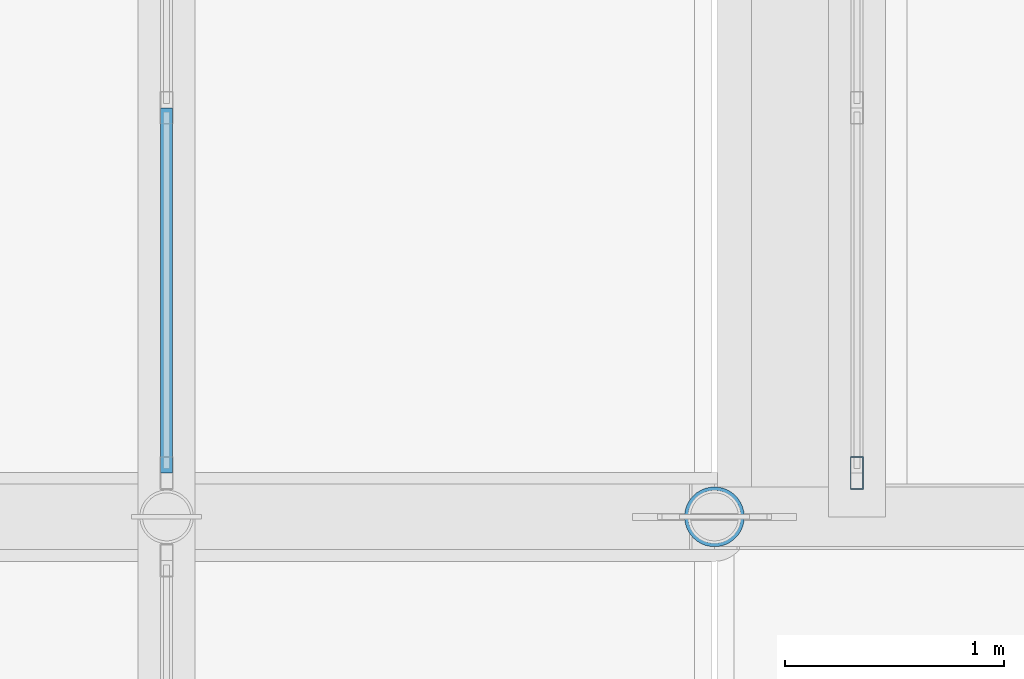
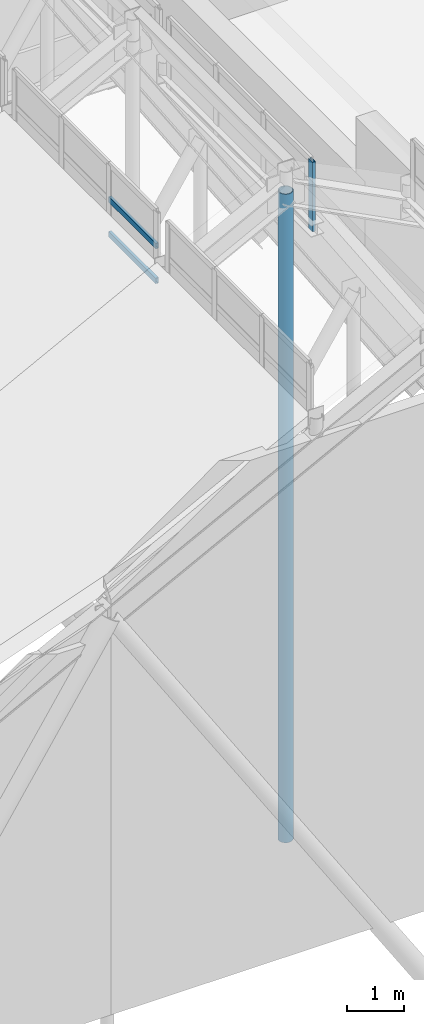
# One storey, part 10 of 84: 4 members, 2 elements without a shape of their own.
"""IFC4 building model written with IfcOpenShell, lengths in metres."""

from ifc_helpers import new_model, si_unit, direction, frame, origin, origin_2d, place, context, subcontext, project, spatial, hollow_rectangle, hollow_circle, extrude, material, layer, layer_set, material_profile, profile_set, type_object, element, aggregate, save


model = new_model("IFC4")

# Units and contexts
model_context = context("Model", 3, precision=1e-05, world=origin(), true_north=direction((0.0, 1.0)))
body_context = subcontext(model_context, "Body", "Model", "MODEL_VIEW")
ifc_project = project(units=[si_unit("LENGTHUNIT", "METRE"), si_unit("AREAUNIT", "SQUARE_METRE"), si_unit("VOLUMEUNIT", "CUBIC_METRE"), si_unit("PLANEANGLEUNIT", "RADIAN"), si_unit("MASSUNIT", "GRAM", prefix="KILO")], contexts=[model_context])

# Site, building, storey
site_placement = place(None, origin())
site = spatial("IfcSite", under=ifc_project, at=site_placement, CompositionType="ELEMENT")
building_placement = place(site_placement, origin())
building = spatial("IfcBuilding", under=site, at=building_placement, Name="Sundgate Opera House", CompositionType="ELEMENT")
storey_placement = place(building_placement, frame((0.0, 0.0, 30.60009765625)))
storey = spatial("IfcBuildingStorey", under=building, at=storey_placement, Name="L06", CompositionType="ELEMENT", Elevation=30.60009765625)

# Curtain wall, member
ifc_material_1 = material(Name="Anodized aluminium and low-iron glass", Category="aluminium")
ifc_layer = layer(ifc_material_1, 0.169921875)
ifc_layer_set = layer_set([ifc_layer], Name="Anodized aluminium and low-iron glass")
curtain_wall_type = type_object("IfcCurtainWallType", Name="CW-LANTERN-POLY", PredefinedType="NOTDEFINED", material=ifc_layer_set)
curtain_wall_1_placement = place(storey_placement, origin())
curtain_wall_1 = element("IfcCurtainWall", 1, at=curtain_wall_1_placement, inside=storey, type_object=curtain_wall_type, Name="L06 Curtain Wall CW172", PredefinedType="NOTDEFINED")
ifc_material_2 = material(Name="Anodized aluminium EN AW-6063", Category="aluminium")
ifc_material_profile_1 = material_profile(ifc_material_2, hollow_rectangle(XDim=0.06005859375, YDim=0.14990234375, WallThickness=0.00390625, at=origin_2d()), Name="CWM 150x60x4")
ifc_profile_set_1 = profile_set([ifc_material_profile_1], Name="Anodized aluminium EN AW-6063")
member_type_1 = type_object("IfcMemberType", Name="CWM-ALU-150x60", PredefinedType="MULLION", material=ifc_profile_set_1)
member_1_placement = place(storey_placement, frame((54.64990234375, 38.60009765625, 12.0), z_axis=(0.0, 0.0, 1.0), x_axis=(1.0, 0.0, 0.0)))
member_1 = element("IfcMember", 2, at=member_1_placement, type_object=member_type_1, Name="CW172 Mullion 1", PredefinedType="MULLION", context=body_context, shape_type="SweptSolid", body=[
    extrude(hollow_rectangle(XDim=0.06005859375, YDim=0.14990234375, WallThickness=0.00390625, at=origin_2d()), origin(), (0.0, 0.0, 1.0), 1.5),
])
aggregate(curtain_wall_1, [member_1])

# Curtain wall, members
curtain_wall_2_placement = place(storey_placement, origin())
curtain_wall_2 = element("IfcCurtainWall", 3, at=curtain_wall_2_placement, inside=storey, type_object=curtain_wall_type, Name="L06 Curtain Wall CW171", PredefinedType="NOTDEFINED")
ifc_material_3 = material(Name="Anodized aluminium EN AW-6063", Category="aluminium")
ifc_material_profile_2 = material_profile(ifc_material_3, hollow_rectangle(XDim=0.054931640625, YDim=0.1201171875, WallThickness=0.00390625, at=origin_2d()), Name="CWT 120x55x4")
ifc_profile_set_2 = profile_set([ifc_material_profile_2], Name="Anodized aluminium EN AW-6063")
member_type_2 = type_object("IfcMemberType", Name="CWT-ALU-120x55", PredefinedType="USERDEFINED", material=ifc_profile_set_2)
member_2_placement = place(storey_placement, frame((51.5, 40.2666015625, 12.0), z_axis=(0.0, -1.0, 0.0), x_axis=(1.0, 0.0, 0.0)))
member_2 = element("IfcMember", 4, at=member_2_placement, type_object=member_type_2, Name="CW171 Transom 7", ObjectType="TRANSOM", PredefinedType="USERDEFINED", context=body_context, shape_type="SweptSolid", body=[
    extrude(hollow_rectangle(XDim=0.054931640625, YDim=0.1201171875, WallThickness=0.00390625, at=origin_2d()), origin(), (0.0, 0.0, 1.0), 1.66650390625),
])
member_3_placement = place(storey_placement, frame((51.5, 40.2666015625, 12.75), z_axis=(0.0, -1.0, 0.0), x_axis=(1.0, 0.0, 0.0)))
member_3 = element("IfcMember", 5, at=member_3_placement, type_object=member_type_2, Name="CW171 Transom 8", ObjectType="TRANSOM", PredefinedType="USERDEFINED", context=body_context, shape_type="SweptSolid", body=[
    extrude(hollow_rectangle(XDim=0.054931640625, YDim=0.1201171875, WallThickness=0.00390625, at=origin_2d()), origin(), (0.0, 0.0, 1.0), 1.66650390625),
])
aggregate(curtain_wall_2, [member_2, member_3])

# Member
ifc_material_4 = material(Name="Steel S355J2", Category="steel")
ifc_material_profile_3 = material_profile(ifc_material_4, hollow_circle(Radius=0.136474609375, WallThickness=0.01611328125, at=origin_2d()), Name="CHS 273.0x16.0")
ifc_profile_set_3 = profile_set([ifc_material_profile_3], Name="Steel S355J2")
member_type_3 = type_object("IfcMemberType", Name="MB-STRUT-CHS273", PredefinedType="STRUT", material=ifc_profile_set_3)
member_4_placement = place(storey_placement, frame((54.0, 38.39990234375, -0.760009765625), z_axis=(0.0, 0.0, 1.0), x_axis=(1.0, 0.0, 0.0)))
element("IfcMember", 6, at=member_4_placement, inside=storey, type_object=member_type_3, Name="L06 Auditorium Truss Vertical Post M0071", PredefinedType="STRUT", context=body_context, shape_type="SweptSolid", body=[
    extrude(hollow_circle(Radius=0.136474609375, WallThickness=0.01611328125, at=origin_2d()), origin(), (0.0, 0.0, 1.0), 13.9599609375),
])

save(model, "model.ifc")
